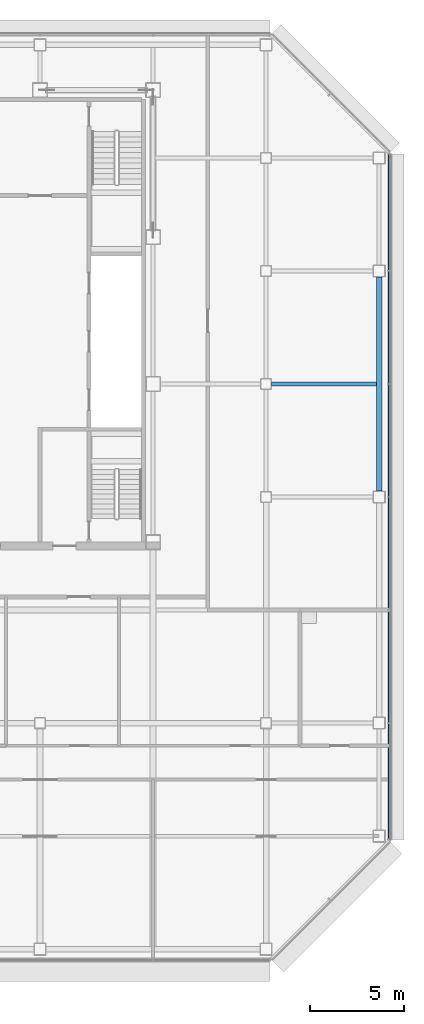
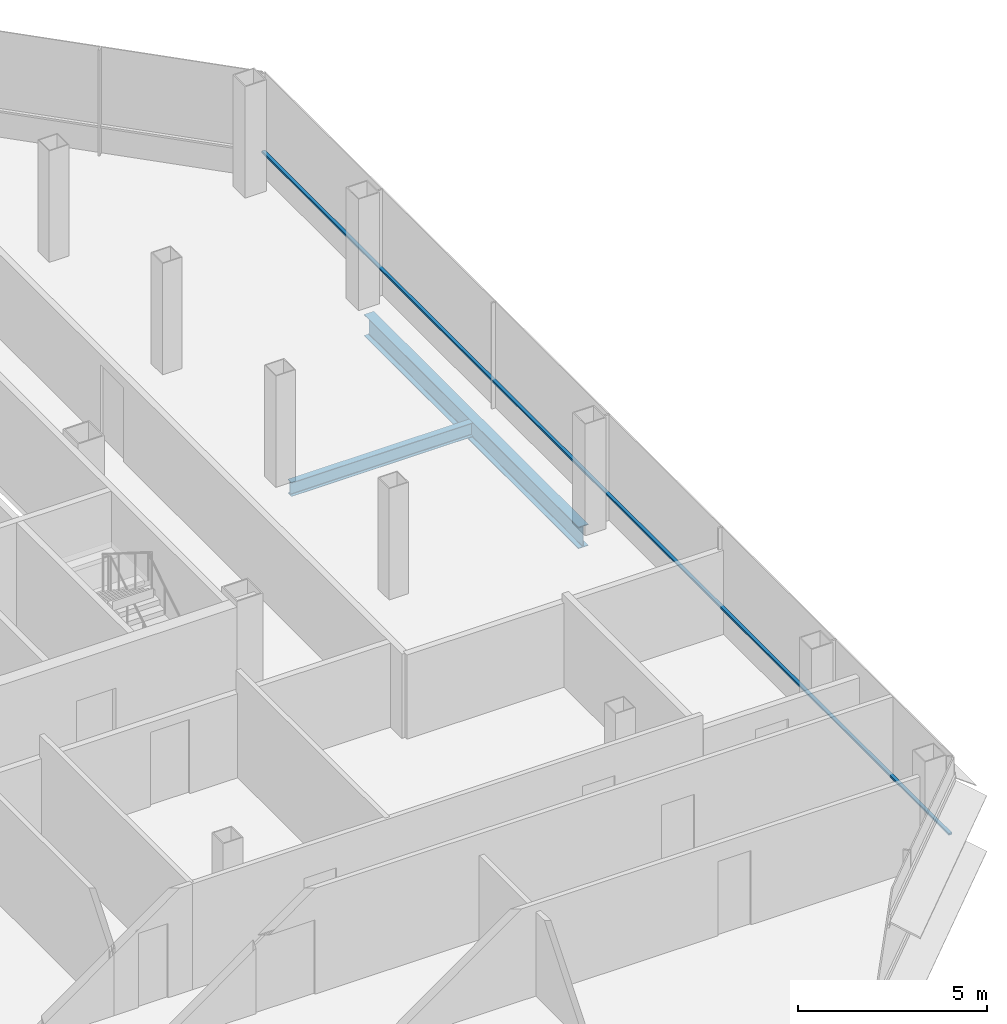
# One storey, part 17 of 26: 2 beams, 1 member, 1 element without a shape of its own.
"""IFC4 building model written with IfcOpenShell, lengths in metres."""

from ifc_helpers import new_model, si_unit, direction, frame, origin, origin_2d, place, context, subcontext, project, spatial, rectangle, i_section, extrude, material, material_profile, profile_set, type_object, element, aggregate, save


model = new_model("IFC4")

# Units and contexts
model_context = context("Model", 3, precision=1e-05, world=origin(), true_north=direction((0.0, 1.0)))
body_context = subcontext(model_context, "Body", "Model", "MODEL_VIEW")
ifc_project = project(units=[si_unit("LENGTHUNIT", "METRE"), si_unit("AREAUNIT", "SQUARE_METRE"), si_unit("VOLUMEUNIT", "CUBIC_METRE"), si_unit("PLANEANGLEUNIT", "RADIAN"), si_unit("MASSUNIT", "GRAM", prefix="KILO")], contexts=[model_context])

# Site, building, storey
site_placement = place(None, origin())
site = spatial("IfcSite", under=ifc_project, at=site_placement, CompositionType="ELEMENT")
building_placement = place(site_placement, origin())
building = spatial("IfcBuilding", under=site, at=building_placement, Name="Sorahane Residences", CompositionType="ELEMENT")
storey_placement = place(building_placement, frame((0.0, 0.0, 215.39990234375)))
storey = spatial("IfcBuildingStorey", under=building, at=storey_placement, Name="L50", CompositionType="ELEMENT", Elevation=215.39990234375)

# Curtain wall, member
ifc_material_1 = material(Name="Dark low-e glass and black anodised aluminium", Category="aluminium")
curtain_wall_type = type_object("IfcCurtainWallType", Name="Curtain wall CW-1 Typical unitised wall", PredefinedType="NOTDEFINED", material=ifc_material_1)
curtain_wall_placement = place(storey_placement, origin())
curtain_wall = element("IfcCurtainWall", 1, at=curtain_wall_placement, inside=storey, type_object=curtain_wall_type, Name="CW-1 curtain wall L50 E1", PredefinedType="NOTDEFINED")
ifc_material_2 = material(Name="Black anodised aluminium", Category="aluminium")
ifc_material_profile_1 = material_profile(ifc_material_2, rectangle(XDim=0.10009765625, YDim=0.06005859375, at=origin_2d()), Name="Curtain wall transom CW-1 black anodised aluminium 60x100")
ifc_profile_set_1 = profile_set([ifc_material_profile_1], Name="Black anodised aluminium")
member_type = type_object("IfcMemberType", Name="Curtain wall transom CW-1 black anodised aluminium 60x100", PredefinedType="USERDEFINED", material=ifc_profile_set_1)
member_placement = place(storey_placement, frame((54.530029296875, 5.801513671875, 0.900146484375), z_axis=(0.0, 1.0, 0.0), x_axis=(-1.0, 0.0, 0.0)))
member = element("IfcMember", 2, at=member_placement, type_object=member_type, Name="CW-1 transom L50 E1", ObjectType="TRANSOM", PredefinedType="USERDEFINED", context=body_context, shape_type="SweptSolid", body=[
    extrude(rectangle(XDim=0.10009765625, YDim=0.06005859375, at=origin_2d()), origin(), (0.0, 0.0, 1.0), 36.39697265625),
])
aggregate(curtain_wall, [member])

# Beams
ifc_material_3 = material(Name="Steel Q355B", Category="steel")
ifc_material_profile_2 = material_profile(ifc_material_3, i_section(OverallWidth=0.199951171875, OverallDepth=0.449951171875, WebThickness=0.009033203125, FlangeThickness=0.013916015625, FilletRadius=0.02001953125, at=origin_2d()), Name="HN 450x200x9x14")
ifc_profile_set_2 = profile_set([ifc_material_profile_2], Name="Steel Q355B")
beam_type_1 = type_object("IfcBeamType", Name="Steel floor beam HN 450x200x9x14 Q355B", PredefinedType="BEAM", material=ifc_profile_set_2)
beam_1_placement = place(storey_placement, frame((48.300048828125, 30.0, -0.40478515625), z_axis=(1.0, 0.0, 0.0), x_axis=(0.0, 1.0, 0.0)))
element("IfcBeam", 3, at=beam_1_placement, inside=storey, type_object=beam_type_1, Name="Beam L50 088", PredefinedType="BEAM", context=body_context, shape_type="SweptSolid", body=[
    extrude(i_section(OverallWidth=0.199951171875, OverallDepth=0.449951171875, WebThickness=0.009033203125, FlangeThickness=0.013916015625, FilletRadius=0.02001953125, at=origin_2d()), origin(), (0.0, 0.0, 1.0), 5.550048828125),
])
ifc_material_4 = material(Name="Steel Q355B", Category="steel")
ifc_material_profile_3 = material_profile(ifc_material_4, i_section(OverallWidth=0.300048828125, OverallDepth=0.699951171875, WebThickness=0.012939453125, FlangeThickness=0.02392578125, FilletRadius=0.028076171875, at=origin_2d()), Name="HN 700x300x13x24")
ifc_profile_set_3 = profile_set([ifc_material_profile_3], Name="Steel Q355B")
beam_type_2 = type_object("IfcBeamType", Name="Steel floor beam HN 700x300x13x24 Q355B", PredefinedType="BEAM", material=ifc_profile_set_3)
beam_2_placement = place(storey_placement, frame((54.0, 24.324951171875, -0.52978515625), z_axis=(0.0, 1.0, 0.0), x_axis=(-1.0, 0.0, 0.0)))
element("IfcBeam", 4, at=beam_2_placement, inside=storey, type_object=beam_type_2, Name="Beam L50 066", PredefinedType="BEAM", context=body_context, shape_type="SweptSolid", body=[
    extrude(i_section(OverallWidth=0.300048828125, OverallDepth=0.699951171875, WebThickness=0.012939453125, FlangeThickness=0.02392578125, FilletRadius=0.028076171875, at=origin_2d()), origin(), (0.0, 0.0, 1.0), 11.35009765625),
])

save(model, "model.ifc")
